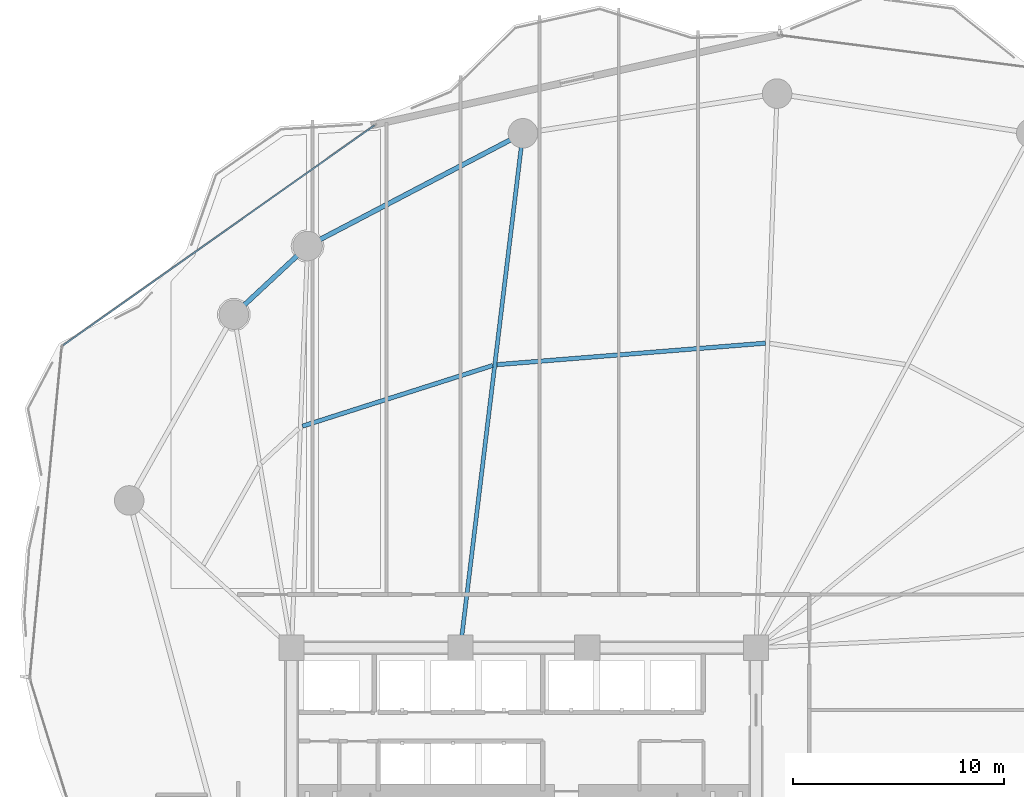
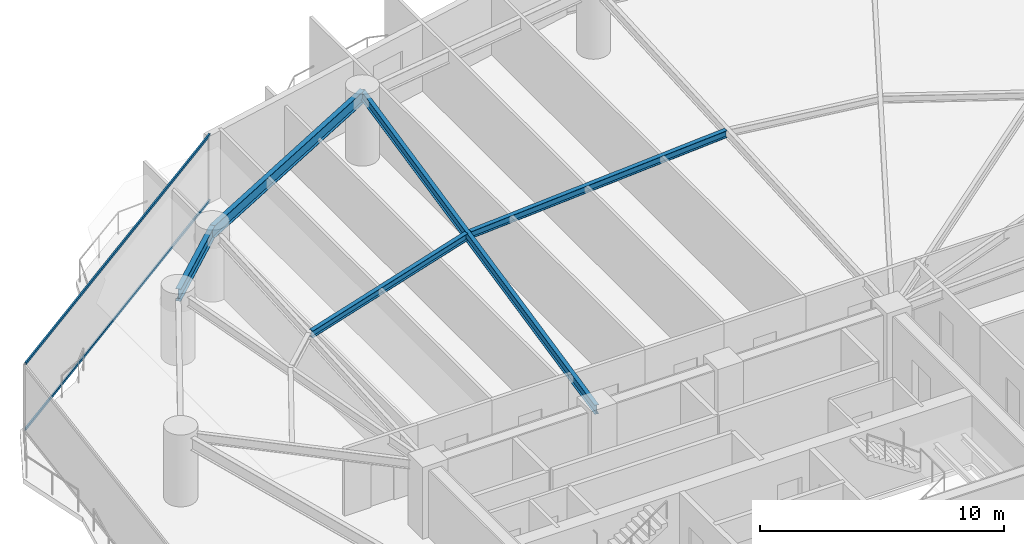
# One storey, part 16 of 31: 5 beams, 2 members, 1 element without a shape of its own.
"""IFC4 building model written with IfcOpenShell, lengths in metres."""

from ifc_helpers import new_model, si_unit, direction, frame, origin, origin_2d, place, context, subcontext, project, spatial, hollow_rectangle, i_section, extrude, material, layer, layer_set, material_profile, profile_set, type_object, element, aggregate, save


model = new_model("IFC4")

# Units and contexts
model_context = context("Model", 3, precision=1e-05, world=origin(), true_north=direction((0.0, 1.0)))
body_context = subcontext(model_context, "Body", "Model", "MODEL_VIEW")
ifc_project = project(units=[si_unit("LENGTHUNIT", "METRE"), si_unit("AREAUNIT", "SQUARE_METRE"), si_unit("VOLUMEUNIT", "CUBIC_METRE"), si_unit("PLANEANGLEUNIT", "RADIAN"), si_unit("MASSUNIT", "GRAM", prefix="KILO")], contexts=[model_context])

# Site, building, storey
site_placement = place(None, origin())
site = spatial("IfcSite", under=ifc_project, at=site_placement, CompositionType="ELEMENT")
building_placement = place(site_placement, origin())
building = spatial("IfcBuilding", under=site, at=building_placement, Name="Kazevale Care Tower and Concert Hall", CompositionType="ELEMENT")
storey_placement = place(building_placement, frame((0.0, 0.0, 60.0)))
storey = spatial("IfcBuildingStorey", under=building, at=storey_placement, Name="L15", CompositionType="ELEMENT", Elevation=60.0)

# Curtain wall, members
ifc_material_1 = material(Name="Aluminium 6063-T6 and Low-E Glass", Category="aluminium")
ifc_layer = layer(ifc_material_1, 0.179931640625)
ifc_layer_set = layer_set([ifc_layer], Name="Aluminium 6063-T6 and Low-E Glass")
curtain_wall_type = type_object("IfcCurtainWallType", Name="Convex Recessed Sunroom Curtain Wall CW-3", PredefinedType="NOTDEFINED", material=ifc_layer_set)
curtain_wall_placement = place(storey_placement, origin())
curtain_wall = element("IfcCurtainWall", 1, at=curtain_wall_placement, inside=storey, type_object=curtain_wall_type, Name="cw:L15:f14", PredefinedType="NOTDEFINED")
ifc_material_2 = material(Name="Aluminium 6063-T6", Category="aluminium")
ifc_material_profile_1 = material_profile(ifc_material_2, hollow_rectangle(XDim=0.074951171875, YDim=0.1201171875, WallThickness=0.00390625, at=origin_2d()), Name="ALU75x120x4")
ifc_profile_set_1 = profile_set([ifc_material_profile_1], Name="Aluminium 6063-T6")
member_type = type_object("IfcMemberType", Name="CW-3 Transom ALU75x120x4", PredefinedType="USERDEFINED", material=ifc_profile_set_1)
member_1_placement = place(storey_placement, frame((11.182373046875, 50.729248046875, 0.03759765625), z_axis=(0.816794743967, 0.576928371835, 0.0), x_axis=(-0.576928371835, 0.816794743967, 0.0)))
member_1 = element("IfcMember", 2, at=member_1_placement, type_object=member_type, Name="CW-3 transom 1.1", ObjectType="TRANSOM", PredefinedType="USERDEFINED", context=body_context, shape_type="SweptSolid", body=[
    extrude(hollow_rectangle(XDim=0.074951171875, YDim=0.1201171875, WallThickness=0.00390625, at=origin_2d()), origin(), (0.0, 0.0, 1.0), 18.060302734375),
])
member_2_placement = place(storey_placement, frame((11.182373046875, 50.729248046875, 3.322509765625), z_axis=(0.816794743967, 0.576928371835, 0.0), x_axis=(-0.576928371835, 0.816794743967, 0.0)))
member_2 = element("IfcMember", 3, at=member_2_placement, type_object=member_type, Name="CW-3 transom 1.2", ObjectType="TRANSOM", PredefinedType="USERDEFINED", context=body_context, shape_type="SweptSolid", body=[
    extrude(hollow_rectangle(XDim=0.074951171875, YDim=0.1201171875, WallThickness=0.00390625, at=origin_2d()), origin(), (0.0, 0.0, 1.0), 18.060302734375),
])
aggregate(curtain_wall, [member_1, member_2])

# Beams
ifc_material_3 = material(Name="Steel ASTM A572 Gr 50", Category="steel")
ifc_material_profile_2 = material_profile(ifc_material_3, i_section(OverallWidth=0.19091796875, OverallDepth=0.4599609375, WebThickness=0.010009765625, FlangeThickness=0.01611328125, at=origin_2d()), Name="W460x82")
ifc_profile_set_2 = profile_set([ifc_material_profile_2], Name="Steel ASTM A572 Gr 50")
beam_type_1 = type_object("IfcBeamType", Name="Radial Floor Beam W460x82", PredefinedType="BEAM", material=ifc_profile_set_2)
beam_1_placement = place(storey_placement, frame((30.0, 36.39990234375, 3.1298828125), z_axis=(0.120572526662, 0.9927045209, 0.0), x_axis=(-0.9927045209, 0.120572526662, 0.0)))
element("IfcBeam", 4, at=beam_1_placement, inside=storey, type_object=beam_type_1, Name="beam:L15:rad:06", PredefinedType="BEAM", context=body_context, shape_type="SweptSolid", body=[
    extrude(i_section(OverallWidth=0.19091796875, OverallDepth=0.4599609375, WebThickness=0.010009765625, FlangeThickness=0.01611328125, at=origin_2d()), origin(), (0.0, 0.0, 1.0), 24.54931640625),
])
ifc_material_profile_3 = material_profile(ifc_material_3, i_section(OverallWidth=0.22900390625, OverallDepth=0.612060546875, WebThickness=0.011962890625, FlangeThickness=0.01953125, at=origin_2d()), Name="W610x125")
ifc_profile_set_3 = profile_set([ifc_material_profile_3], Name="Steel ASTM A572 Gr 50")
beam_type_2 = type_object("IfcBeamType", Name="Ring Spandrel Beam W610x125", PredefinedType="SPANDREL", material=ifc_profile_set_3)
beam_2_placement = place(storey_placement, frame((32.9599609375, 60.77001953125, 3.053955078125), z_axis=(-0.885929466679, -0.463819986708, 0.0), x_axis=(0.463819986708, -0.885929466679, 0.0)))
element("IfcBeam", 5, at=beam_2_placement, inside=storey, type_object=beam_type_2, Name="beam:L15:ring:06", PredefinedType="SPANDREL", context=body_context, shape_type="SweptSolid", body=[
    extrude(i_section(OverallWidth=0.22900390625, OverallDepth=0.612060546875, WebThickness=0.011962890625, FlangeThickness=0.01953125, at=origin_2d()), origin(), (0.0, 0.0, 1.0), 11.51318359375),
])
beam_3_placement = place(storey_placement, frame((22.760009765625, 55.429931640625, 3.053955078125), z_axis=(-0.731820896228, -0.681497010884, 0.0), x_axis=(0.681497010884, -0.731820896228, 0.0)))
element("IfcBeam", 6, at=beam_3_placement, inside=storey, type_object=beam_type_2, Name="beam:L15:ring:07", PredefinedType="SPANDREL", context=body_context, shape_type="SweptSolid", body=[
    extrude(i_section(OverallWidth=0.22900390625, OverallDepth=0.612060546875, WebThickness=0.011962890625, FlangeThickness=0.01953125, at=origin_2d()), origin(), (0.0, 0.0, 1.0), 4.768798828125),
])
ifc_material_profile_4 = material_profile(ifc_material_3, i_section(OverallWidth=0.205078125, OverallDepth=0.35400390625, WebThickness=0.009521484375, FlangeThickness=0.016845703125, at=origin_2d()), Name="W360x79")
ifc_profile_set_4 = profile_set([ifc_material_profile_4], Name="Steel ASTM A572 Gr 50")
beam_type_3 = type_object("IfcBeamType", Name="Secondary Floor Joist W360x79", PredefinedType="JOIST", material=ifc_profile_set_4)
beam_4_placement = place(storey_placement, frame((44.445068359375, 50.8291015625, 3.18310546875), z_axis=(-0.996814548036, -0.079754353015, 0.0), x_axis=(0.079754353015, -0.996814548036, 0.0)))
element("IfcBeam", 7, at=beam_4_placement, inside=storey, type_object=beam_type_3, Name="beam:L15:joist:05", PredefinedType="JOIST", context=body_context, shape_type="SweptSolid", body=[
    extrude(i_section(OverallWidth=0.205078125, OverallDepth=0.35400390625, WebThickness=0.009521484375, FlangeThickness=0.016845703125, at=origin_2d()), origin(), (0.0, 0.0, 1.0), 12.752685546875),
])
beam_5_placement = place(storey_placement, frame((31.528076171875, 49.77197265625, 3.18310546875), z_axis=(-0.9527054955, -0.303895111584, 0.0), x_axis=(0.303895111584, -0.9527054955, 0.0)))
element("IfcBeam", 8, at=beam_5_placement, inside=storey, type_object=beam_type_3, Name="beam:L15:joist:06", PredefinedType="JOIST", context=body_context, shape_type="SweptSolid", body=[
    extrude(i_section(OverallWidth=0.205078125, OverallDepth=0.35400390625, WebThickness=0.009521484375, FlangeThickness=0.016845703125, at=origin_2d()), origin(), (0.0, 0.0, 1.0), 9.457275390625),
])

save(model, "model.ifc")
